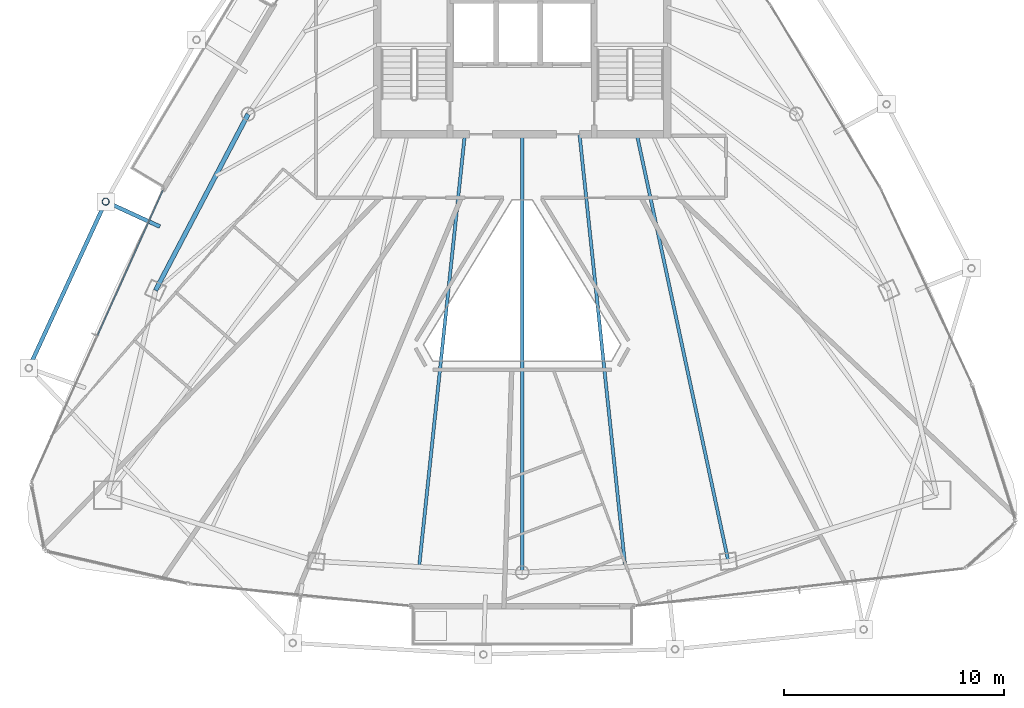
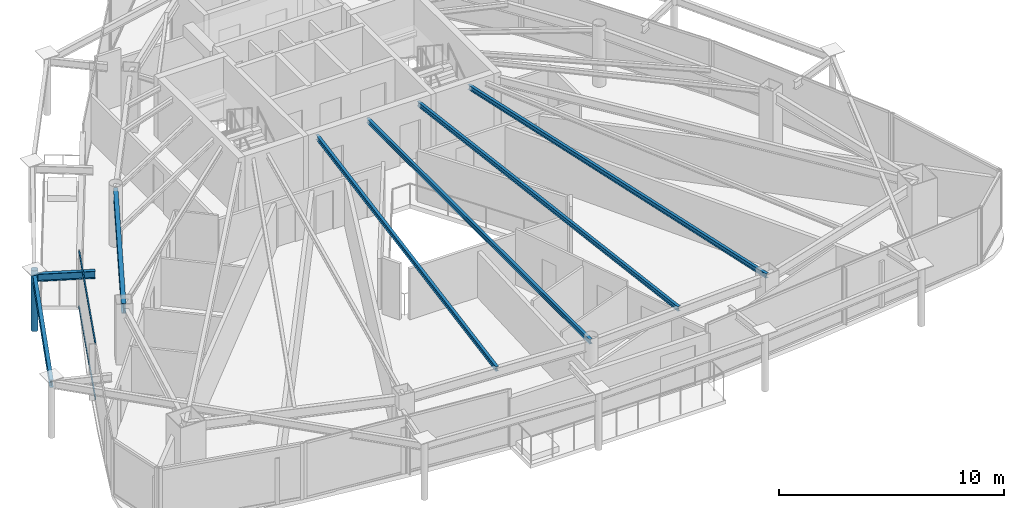
# One storey, part 9 of 29: 7 beams, 3 members, 1 element without a shape of its own.
"""IFC4 building model written with IfcOpenShell, lengths in metres."""

from ifc_helpers import new_model, si_unit, direction, frame, origin, origin_2d, place, context, subcontext, project, spatial, hollow_rectangle, hollow_circle, i_section, extrude, material, layer, layer_set, material_profile, profile_set, type_object, element, aggregate, save


model = new_model("IFC4")

# Units and contexts
model_context = context("Model", 3, precision=1e-05, world=origin(), true_north=direction((0.0, 1.0)))
body_context = subcontext(model_context, "Body", "Model", "MODEL_VIEW")
ifc_project = project(units=[si_unit("LENGTHUNIT", "METRE"), si_unit("AREAUNIT", "SQUARE_METRE"), si_unit("VOLUMEUNIT", "CUBIC_METRE"), si_unit("PLANEANGLEUNIT", "RADIAN"), si_unit("MASSUNIT", "GRAM", prefix="KILO")], contexts=[model_context])

# Site, building, storey
site_placement = place(None, origin())
site = spatial("IfcSite", under=ifc_project, at=site_placement, CompositionType="ELEMENT")
building_placement = place(site_placement, origin())
building = spatial("IfcBuilding", under=site, at=building_placement, Name="Orvanel Arch Residences", CompositionType="ELEMENT")
storey_placement = place(building_placement, frame((0.0, 0.0, 246.949951171875)))
storey = spatial("IfcBuildingStorey", under=building, at=storey_placement, Name="L70", CompositionType="ELEMENT", Elevation=246.949951171875)

# Beams
ifc_material_1 = material(Name="Structural steel AS/NZS 3679.1 Grade 300 (300 MPa)", Category="steel")
ifc_material_profile_1 = material_profile(ifc_material_1, i_section(OverallWidth=0.14599609375, OverallDepth=0.251953125, WebThickness=0.006103515625, FlangeThickness=0.008544921875, at=origin_2d()), Name="250UB31.4")
ifc_profile_set_1 = profile_set([ifc_material_profile_1], Name="Structural steel AS/NZS 3679.1 Grade 300 (300 MPa)")
beam_type_1 = type_object("IfcBeamType", Name="BJ-250UB", PredefinedType="JOIST", material=ifc_profile_set_1)
beam_1_placement = place(storey_placement, frame((38.199951171875, 26.72509765625, 2.93408203125), z_axis=(0.209547604985, -0.977798446125, 0.0), x_axis=(0.977798446125, 0.209547604985, 0.0)))
element("IfcBeam", 1, at=beam_1_placement, inside=storey, type_object=beam_type_1, Name="L70 SE Wing Floor Joist", PredefinedType="JOIST", context=body_context, shape_type="SweptSolid", body=[
    extrude(i_section(OverallWidth=0.14599609375, OverallDepth=0.251953125, WebThickness=0.006103515625, FlangeThickness=0.008544921875, at=origin_2d()), origin(), (0.0, 0.0, 1.0), 19.809814453125),
])
beam_2_placement = place(storey_placement, frame((33.0, 26.72509765625, 2.93408203125), z_axis=(0.0, -1.0, 0.0), x_axis=(1.0, 0.0, 0.0)))
element("IfcBeam", 2, at=beam_2_placement, inside=storey, type_object=beam_type_1, Name="L70 SSW Wing Floor Joist", PredefinedType="JOIST", context=body_context, shape_type="SweptSolid", body=[
    extrude(i_section(OverallWidth=0.14599609375, OverallDepth=0.251953125, WebThickness=0.006103515625, FlangeThickness=0.008544921875, at=origin_2d()), origin(), (0.0, 0.0, 1.0), 19.881103515625),
])
for number, where, z_axis, x_axis, name in (
    (3, (30.39990234375, 26.72509765625, 2.93408203125), (-0.105143936131, -0.994457014, 0.0), (0.994457014, -0.105143936131, 0.0), "L70 WSW2 Wing Floor Joist"),
    (4, (35.60009765625, 26.72509765625, 2.93408203125), (0.105143936131, -0.994457014, 0.0), (0.994457014, 0.105143936131, 0.0), "L70 ESE2 Wing Floor Joist"),
):
    element("IfcBeam", number, at=place(storey_placement, frame(where, z_axis=z_axis, x_axis=x_axis)), inside=storey, type_object=beam_type_1, Name=name, PredefinedType="JOIST", context=body_context, shape_type="SweptSolid", body=[
        extrude(i_section(OverallWidth=0.14599609375, OverallDepth=0.251953125, WebThickness=0.006103515625, FlangeThickness=0.008544921875, at=origin_2d()), origin(), (0.0, 0.0, 1.0), 19.734375),
    ])
ifc_material_profile_2 = material_profile(ifc_material_1, i_section(OverallWidth=0.177978515625, OverallDepth=0.406005859375, WebThickness=0.0078125, FlangeThickness=0.0126953125, at=origin_2d()), Name="410UB59.7")
ifc_profile_set_2 = profile_set([ifc_material_profile_2], Name="Structural steel AS/NZS 3679.1 Grade 300 (300 MPa)")
beam_type_2 = type_object("IfcBeamType", Name="OB-410UB-EXT", PredefinedType="SPANDREL", material=ifc_profile_set_2)
beam_3_placement = place(storey_placement, frame((16.569091796875, 22.532958984375, 2.85693359375), z_axis=(-0.908540303799, 0.417797219201, 0.0), x_axis=(-0.417797219201, -0.908540303799, 0.0)))
element("IfcBeam", 5, at=beam_3_placement, inside=storey, type_object=beam_type_2, Name="L70 Outer Frame Radial Tie Beam 03", PredefinedType="SPANDREL", context=body_context, shape_type="SweptSolid", body=[
    extrude(i_section(OverallWidth=0.177978515625, OverallDepth=0.406005859375, WebThickness=0.0078125, FlangeThickness=0.0126953125, at=origin_2d()), origin(), (0.0, 0.0, 1.0), 2.71435546875),
])
beam_4_placement = place(storey_placement, frame((14.10302734375, 23.6669921875, 2.85693359375), z_axis=(-0.418918559479, -0.908023810549, 0.0), x_axis=(0.908023810549, -0.418918559479, 0.0)))
element("IfcBeam", 6, at=beam_4_placement, inside=storey, type_object=beam_type_2, Name="L70 Outer Perimeter Floor Ring Beam 03", PredefinedType="SPANDREL", context=body_context, shape_type="SweptSolid", body=[
    extrude(i_section(OverallWidth=0.177978515625, OverallDepth=0.406005859375, WebThickness=0.0078125, FlangeThickness=0.0126953125, at=origin_2d()), origin(), (0.0, 0.0, 1.0), 8.31689453125),
])
ifc_material_profile_3 = material_profile(ifc_material_1, i_section(OverallWidth=0.208984375, OverallDepth=0.532958984375, WebThickness=0.01025390625, FlangeThickness=0.015625, at=origin_2d()), Name="530UB92.4")
ifc_profile_set_3 = profile_set([ifc_material_profile_3], Name="Structural steel AS/NZS 3679.1 Grade 300 (300 MPa)")
beam_type_3 = type_object("IfcBeamType", Name="SP-530UB", PredefinedType="SPANDREL", material=ifc_profile_set_3)
beam_5_placement = place(storey_placement, frame((20.569091796875, 27.64111328125, 2.79296875), z_axis=(-0.465064762793, -0.885276660942, 0.0), x_axis=(0.885276660942, -0.465064762793, 0.0)))
element("IfcBeam", 7, at=beam_5_placement, inside=storey, type_object=beam_type_3, Name="L70 Perimeter Spandrel Beam 12", PredefinedType="SPANDREL", context=body_context, shape_type="SweptSolid", body=[
    extrude(i_section(OverallWidth=0.208984375, OverallDepth=0.532958984375, WebThickness=0.01025390625, FlangeThickness=0.015625, at=origin_2d()), origin(), (0.0, 0.0, 1.0), 9.03564453125),
])

# Member
ifc_material_2 = material(Name="Structural steel AS/NZS 1163 C350L0 (Grade 350)", Category="steel")
ifc_material_profile_4 = material_profile(ifc_material_2, hollow_circle(Radius=0.162109375, WallThickness=0.0126953125, at=origin_2d()), Name="CHS324x12.7")
ifc_profile_set_4 = profile_set([ifc_material_profile_4], Name="Structural steel AS/NZS 1163 C350L0 (Grade 350)")
member_type_1 = type_object("IfcMemberType", Name="ST-324CHS-EXT", PredefinedType="STRUT", material=ifc_profile_set_4)
member_1_placement = place(storey_placement, frame((14.10302734375, 23.6669921875, 0.0), z_axis=(0.0, 0.0, 1.0), x_axis=(1.0, 0.0, 0.0)))
element("IfcMember", 8, at=member_1_placement, inside=storey, type_object=member_type_1, Name="L70 Outer Perimeter Frame Post 03", PredefinedType="STRUT", context=body_context, shape_type="SweptSolid", body=[
    extrude(hollow_circle(Radius=0.162109375, WallThickness=0.0126953125, at=origin_2d()), origin(), (0.0, 0.0, 1.0), 3.300048828125),
])

# Curtain wall, members
ifc_material_3 = material(Name="Bronze-anodised aluminium AA6063-T6", Category="aluminium")
ifc_layer = layer(ifc_material_3, 0.175048828125)
ifc_layer_set = layer_set([ifc_layer], Name="Bronze-anodised aluminium AA6063-T6")
curtain_wall_type = type_object("IfcCurtainWallType", Name="CW4-HI-SYS", PredefinedType="NOTDEFINED", material=ifc_layer_set)
curtain_wall_placement = place(storey_placement, origin())
curtain_wall = element("IfcCurtainWall", 9, at=curtain_wall_placement, inside=storey, type_object=curtain_wall_type, Name="L70 CW4-HI-SYS Unitised Curtain Wall", PredefinedType="NOTDEFINED")
ifc_material_profile_5 = material_profile(ifc_material_3, hollow_rectangle(XDim=0.06005859375, YDim=0.1201171875, WallThickness=0.00341796875, at=origin_2d()), Name="ALU120x60x3.5")
ifc_profile_set_5 = profile_set([ifc_material_profile_5], Name="Bronze-anodised aluminium AA6063-T6")
member_type_2 = type_object("IfcMemberType", Name="TRN-120x60", PredefinedType="USERDEFINED", material=ifc_profile_set_5)
member_2_placement = place(storey_placement, frame((16.7001953125, 24.1806640625, 0.030029296875), z_axis=(-0.410577324573, -0.911825784098, 0.0), x_axis=(0.911825784098, -0.410577324573, 0.0)))
member_2 = element("IfcMember", 10, at=member_2_placement, type_object=member_type_2, Name="CW-S4 transom 1.1", ObjectType="TRANSOM", PredefinedType="USERDEFINED", context=body_context, shape_type="SweptSolid", body=[
    extrude(hollow_rectangle(XDim=0.06005859375, YDim=0.1201171875, WallThickness=0.00341796875, at=origin_2d()), origin(), (0.0, 0.0, 1.0), 7.2080078125),
])
member_3_placement = place(storey_placement, frame((16.7001953125, 24.1806640625, 3.030029296875), z_axis=(-0.410577324573, -0.911825784098, 0.0), x_axis=(0.911825784098, -0.410577324573, 0.0)))
member_3 = element("IfcMember", 11, at=member_3_placement, type_object=member_type_2, Name="CW-S4 transom 1.2", ObjectType="TRANSOM", PredefinedType="USERDEFINED", context=body_context, shape_type="SweptSolid", body=[
    extrude(hollow_rectangle(XDim=0.06005859375, YDim=0.1201171875, WallThickness=0.00341796875, at=origin_2d()), origin(), (0.0, 0.0, 1.0), 7.2080078125),
])
aggregate(curtain_wall, [member_2, member_3])

save(model, "model.ifc")
